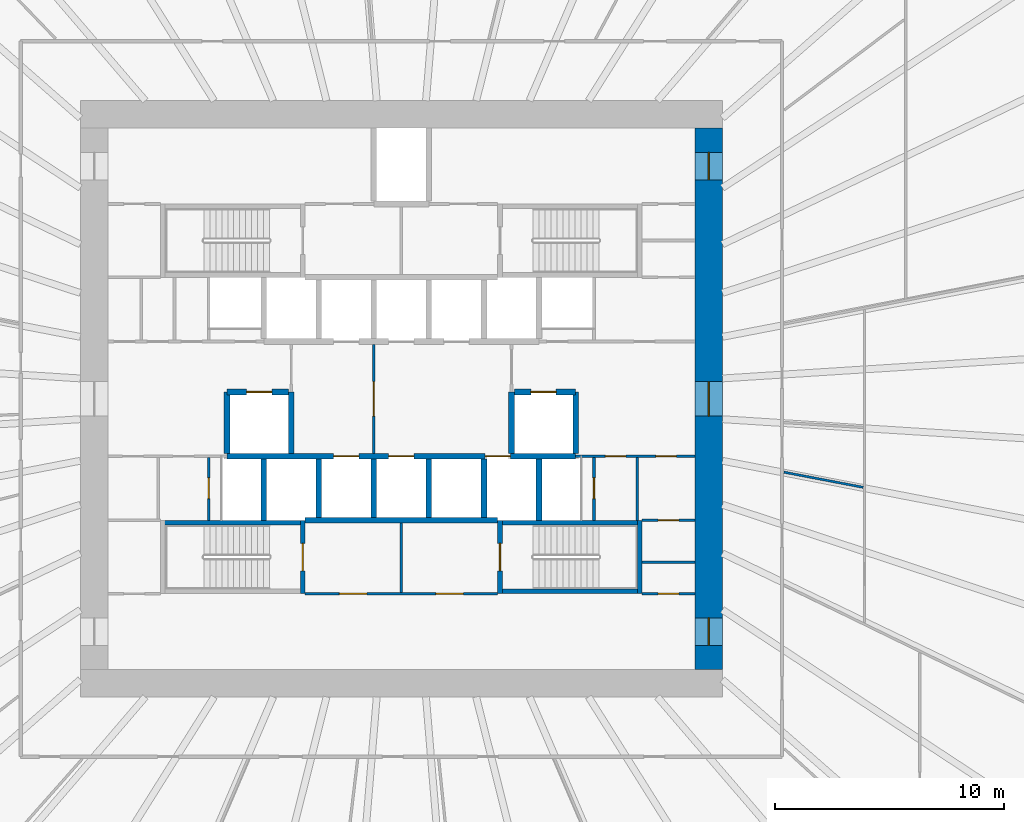
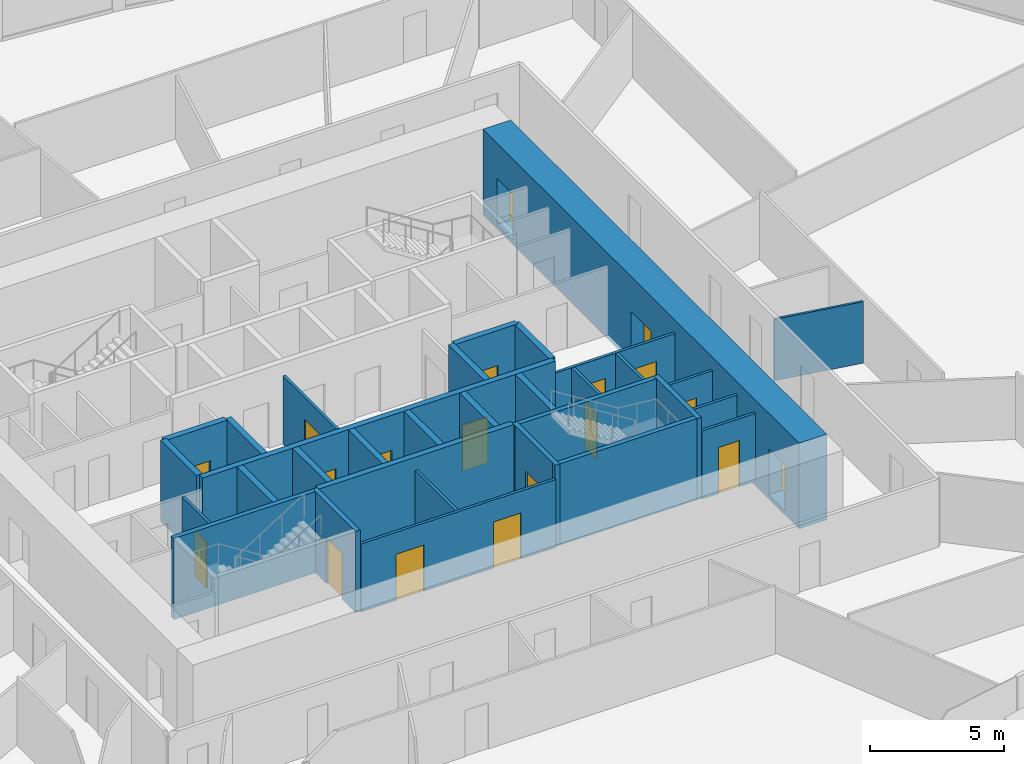
# One storey, part 7 of 11: 32 walls, 19 doors, 19 openings.
"""IFC4 building model written with IfcOpenShell, lengths in metres."""

from ifc_helpers import new_model, si_unit, direction, frame, frame_2d, origin, place, context, subcontext, project, spatial, rectangle, extrude, source, transform, mapped, material, layer, layer_set, type_object, element, fill, save


model = new_model("IFC4")

# Units and contexts
model_context = context("Model", 3, precision=1e-05, world=origin(), true_north=direction((0.0, 1.0)))
body_context = subcontext(model_context, "Body", "Model", "MODEL_VIEW")
ifc_project = project(units=[si_unit("LENGTHUNIT", "METRE"), si_unit("AREAUNIT", "SQUARE_METRE"), si_unit("VOLUMEUNIT", "CUBIC_METRE"), si_unit("PLANEANGLEUNIT", "RADIAN"), si_unit("MASSUNIT", "GRAM", prefix="KILO")], contexts=[model_context])

# Site, building, storey
site_placement = place(None, origin())
site = spatial("IfcSite", under=ifc_project, at=site_placement, CompositionType="ELEMENT")
building_placement = place(site_placement, origin())
building = spatial("IfcBuilding", under=site, at=building_placement, Name="Embergate Tower", CompositionType="ELEMENT")
storey_placement = place(building_placement, frame((0.0, 0.0, 69.800048828125)))
storey = spatial("IfcBuildingStorey", under=building, at=storey_placement, Name="L13", CompositionType="ELEMENT", Elevation=69.800048828125)

# Wall, openings, doors
ifc_material_1 = material(Name="Concrete C80", Category="concrete")
ifc_layer_1 = layer(ifc_material_1, 1.199951171875)
ifc_layer_set_1 = layer_set([ifc_layer_1], Name="Concrete C80")
wall_type_1 = type_object("IfcWallType", Name="Core outer wall C80 1200", PredefinedType="SHEAR", material=ifc_layer_set_1)
shared_shape_1 = source(origin(), body_context, "Body", "SweptSolid", [
    extrude(rectangle(XDim=23.60009765625, YDim=1.199951171875, at=frame_2d((11.800048828125, 0.0))), origin(), (0.0, 0.0, 1.0), 3.89990234375),
])
wall_1_placement = place(storey_placement, frame((13.39990234375, -11.800048828125, -0.199951171875), z_axis=(0.0, 0.0, 1.0), x_axis=(0.0, 1.0, 0.0)))
wall_1 = element("IfcWall", 1, at=wall_1_placement, inside=storey, type_object=wall_type_1, Name="CW-L13-E", PredefinedType="SHEAR", context=body_context, shape_type="MappedRepresentation", body=[
    mapped(shared_shape_1, transform((0.0, 0.0, 0.0))),
])
shared_shape_2 = source(origin(), body_context, "Body", "SweptSolid", [
    extrude(rectangle(XDim=1.199951171875, YDim=2.10009765625, at=frame_2d((0.60009765625, 1.050048828125))), frame((0.0, 0.60986328125, 0.0), z_axis=(0.0, -1.0, 0.0), x_axis=(1.0, 0.0, 0.0)), (0.0, 0.0, 1.0), 1.219970703125),
])
opening_1_placement = place(wall_1_placement, frame((21.35009765625, 0.0, 0.199951171875)))
opening_1 = element("IfcOpeningElement", 2, at=opening_1_placement, cuts=wall_1, Name="Opening IF-1", PredefinedType="OPENING", context=body_context, shape_type="MappedRepresentation", body=[
    mapped(shared_shape_2, transform((0.0, 0.0, 0.0))),
])
opening_2_placement = place(wall_1_placement, frame((1.050048828125, 0.0, 0.199951171875)))
opening_2 = element("IfcOpeningElement", 3, at=opening_2_placement, cuts=wall_1, Name="Opening IF-1", PredefinedType="OPENING", context=body_context, shape_type="MappedRepresentation", body=[
    mapped(shared_shape_2, transform((0.0, 0.0, 0.0))),
])
shared_shape_3 = source(origin(), body_context, "Body", "SweptSolid", [
    extrude(rectangle(XDim=1.5, YDim=2.10009765625, at=frame_2d((0.75, 1.050048828125))), frame((0.0, 0.60986328125, 0.0), z_axis=(0.0, -1.0, 0.0), x_axis=(1.0, 0.0, 0.0)), (0.0, 0.0, 1.0), 1.219970703125),
])
opening_3_placement = place(wall_1_placement, frame((11.050048828125, 0.0, 0.199951171875)))
opening_3 = element("IfcOpeningElement", 4, at=opening_3_placement, cuts=wall_1, Name="Opening IF-3", PredefinedType="OPENING", context=body_context, shape_type="MappedRepresentation", body=[
    mapped(shared_shape_3, transform((0.0, 0.0, 0.0))),
])
ifc_material_2 = material(Name="Escape fire door 1200")
door_type_1 = type_object("IfcDoorType", Name="Escape fire door 1200", OperationType="SINGLE_SWING_LEFT", PredefinedType="DOOR", material=ifc_material_2)
shared_shape_4 = source(origin(), body_context, "Body", "SweptSolid", [
    extrude(rectangle(XDim=1.199951171875, YDim=2.10009765625, at=frame_2d((0.60009765625, 1.050048828125))), frame((0.0, 0.02490234375, 0.0), z_axis=(0.0, -1.0, 0.0), x_axis=(1.0, 0.0, 0.0)), (0.0, 0.0, 1.0), 0.050048828125),
])
door_1_placement = place(opening_1_placement, origin())
door_1 = element("IfcDoor", 5, at=door_1_placement, inside=storey, type_object=door_type_1, Name="IF-1 door", OperationType="SINGLE_SWING_LEFT", OverallHeight=2.10009765625, OverallWidth=1.199951171875, PredefinedType="DOOR", context=body_context, shape_type="MappedRepresentation", body=[
    mapped(shared_shape_4, transform((0.0, 0.0, 0.0))),
])
fill(opening_1, door_1)
door_2_placement = place(opening_2_placement, origin())
door_2 = element("IfcDoor", 6, at=door_2_placement, inside=storey, type_object=door_type_1, Name="IF-1 door", OperationType="SINGLE_SWING_RIGHT", OverallHeight=2.10009765625, OverallWidth=1.199951171875, PredefinedType="DOOR", context=body_context, shape_type="MappedRepresentation", body=[
    mapped(shared_shape_4, transform((0.0, 0.0, 0.0))),
])
fill(opening_2, door_2)
ifc_material_3 = material(Name="Lobby fire door pair 1500")
door_type_2 = type_object("IfcDoorType", Name="Lobby fire door pair 1500", OperationType="DOUBLE_DOOR_SINGLE_SWING", PredefinedType="DOOR", material=ifc_material_3)
shared_shape_5 = source(origin(), body_context, "Body", "SweptSolid", [
    extrude(rectangle(XDim=1.5, YDim=2.10009765625, at=frame_2d((0.75, 1.050048828125))), frame((0.0, 0.02490234375, 0.0), z_axis=(0.0, -1.0, 0.0), x_axis=(1.0, 0.0, 0.0)), (0.0, 0.0, 1.0), 0.050048828125),
])
door_3_placement = place(opening_3_placement, origin())
door_3 = element("IfcDoor", 7, at=door_3_placement, inside=storey, type_object=door_type_2, Name="IF-3 door", OperationType="DOUBLE_DOOR_SINGLE_SWING", OverallHeight=2.10009765625, OverallWidth=1.5, PredefinedType="DOOR", context=body_context, shape_type="MappedRepresentation", body=[
    mapped(shared_shape_5, transform((0.0, 0.0, 0.0))),
])
fill(opening_3, door_3)

# Walls
ifc_material_4 = material(Name="Concrete C50", Category="concrete")
ifc_layer_2 = layer(ifc_material_4, 0.25)
ifc_layer_set_2 = layer_set([ifc_layer_2], Name="Concrete C50")
wall_type_2 = type_object("IfcWallType", Name="Hoistway wall reinforced concrete 250", PredefinedType="SHEAR", material=ifc_layer_set_2)
shared_shape_6 = source(origin(), body_context, "Body", "SweptSolid", [
    extrude(rectangle(XDim=2.675048828125, YDim=0.25, at=frame_2d((1.33740234375, 0.0))), origin(), (0.0, 0.0, 1.0), 3.699951171875),
])
for number, where, z_axis, x_axis, name in (
    (8, (-6.0, -5.300048828125, 0.0), (0.0, 0.0, 1.0), (0.0, 1.0, 0.0), "HW-1 wall"),
    (9, (6.0, -5.300048828125, 0.0), (0.0, 0.0, 1.0), (0.0, 1.0, 0.0), "HW-1 wall"),
    (10, (-4.800048828125, 0.300048828125, 0.0), (0.0, 0.0, 1.0), (0.0, -1.0, 0.0), "HW-1 wall"),
    (11, (4.800048828125, -2.375, 0.0), (0.0, 0.0, 1.0), (0.0, 1.0, 0.0), "HW-1 wall"),
):
    element("IfcWall", number, at=place(storey_placement, frame(where, z_axis=z_axis, x_axis=x_axis)), inside=storey, type_object=wall_type_2, Name=name, PredefinedType="SHEAR", context=body_context, shape_type="MappedRepresentation", body=[
        mapped(shared_shape_6, transform((0.0, 0.0, 0.0))),
    ])

# Wall, opening, door
wall_2_placement = place(storey_placement, frame((-4.925048828125, 0.300048828125, 0.0), z_axis=(0.0, 0.0, 1.0), x_axis=(-1.0, 0.0, 0.0)))
wall_2 = element("IfcWall", 12, at=wall_2_placement, inside=storey, type_object=wall_type_2, Name="HW-1 wall", PredefinedType="SHEAR", context=body_context, shape_type="MappedRepresentation", body=[
    mapped(shared_shape_6, transform((0.0, 0.0, 0.0))),
])
shared_shape_7 = source(origin(), body_context, "Body", "SweptSolid", [
    extrude(rectangle(XDim=1.10009765625, YDim=2.10009765625, at=frame_2d((0.550048828125, 1.050048828125))), frame((0.0, 0.135009765625, 0.0), z_axis=(0.0, -1.0, 0.0), x_axis=(1.0, 0.0, 0.0)), (0.0, 0.0, 1.0), 0.27001953125),
])
opening_4_placement = place(wall_2_placement, frame((0.72509765625, 0.0, 0.0)))
opening_4 = element("IfcOpeningElement", 13, at=opening_4_placement, cuts=wall_2, Name="Opening LD", PredefinedType="OPENING", context=body_context, shape_type="MappedRepresentation", body=[
    mapped(shared_shape_7, transform((0.0, 0.0, 0.0))),
])
ifc_material_5 = material(Name="Landing door sliding 1100")
door_type_3 = type_object("IfcDoorType", Name="Landing door sliding 1100", OperationType="SLIDING_TO_LEFT", PredefinedType="DOOR", material=ifc_material_5)
shared_shape_8 = source(origin(), body_context, "Body", "SweptSolid", [
    extrude(rectangle(XDim=1.10009765625, YDim=2.10009765625, at=frame_2d((0.550048828125, 1.050048828125))), frame((0.0, 0.02490234375, 0.0), z_axis=(0.0, -1.0, 0.0), x_axis=(1.0, 0.0, 0.0)), (0.0, 0.0, 1.0), 0.050048828125),
])
door_4_placement = place(opening_4_placement, origin())
door_4 = element("IfcDoor", 14, at=door_4_placement, inside=storey, type_object=door_type_3, Name="LD door", OperationType="SLIDING_TO_LEFT", OverallHeight=2.10009765625, OverallWidth=1.10009765625, PredefinedType="DOOR", context=body_context, shape_type="MappedRepresentation", body=[
    mapped(shared_shape_8, transform((0.0, 0.0, 0.0))),
])
fill(opening_4, door_4)

# Wall
wall_3_placement = place(storey_placement, frame((-7.60009765625, 0.300048828125, 0.0), z_axis=(0.0, 0.0, 1.0), x_axis=(0.0, -1.0, 0.0)))
element("IfcWall", 15, at=wall_3_placement, inside=storey, type_object=wall_type_2, Name="HW-1 wall", PredefinedType="SHEAR", context=body_context, shape_type="MappedRepresentation", body=[
    mapped(shared_shape_6, transform((0.0, 0.0, 0.0))),
])

# Wall, opening, door
wall_4_placement = place(storey_placement, frame((7.60009765625, 0.300048828125, 0.0), z_axis=(0.0, 0.0, 1.0), x_axis=(-1.0, 0.0, 0.0)))
wall_4 = element("IfcWall", 16, at=wall_4_placement, inside=storey, type_object=wall_type_2, Name="HW-1 wall", PredefinedType="SHEAR", context=body_context, shape_type="MappedRepresentation", body=[
    mapped(shared_shape_6, transform((0.0, 0.0, 0.0))),
])
opening_5_placement = place(wall_4_placement, frame((0.85009765625, 0.0, 0.0)))
opening_5 = element("IfcOpeningElement", 17, at=opening_5_placement, cuts=wall_4, Name="Opening LD", PredefinedType="OPENING", context=body_context, shape_type="MappedRepresentation", body=[
    mapped(shared_shape_7, transform((0.0, 0.0, 0.0))),
])
door_5_placement = place(opening_5_placement, origin())
door_5 = element("IfcDoor", 18, at=door_5_placement, inside=storey, type_object=door_type_3, Name="LD door", OperationType="SLIDING_TO_LEFT", OverallHeight=2.10009765625, OverallWidth=1.10009765625, PredefinedType="DOOR", context=body_context, shape_type="MappedRepresentation", body=[
    mapped(shared_shape_8, transform((0.0, 0.0, 0.0))),
])
fill(opening_5, door_5)

# Walls
wall_5_placement = place(storey_placement, frame((7.60009765625, -2.375, 0.0), z_axis=(0.0, 0.0, 1.0), x_axis=(0.0, 1.0, 0.0)))
element("IfcWall", 19, at=wall_5_placement, inside=storey, type_object=wall_type_2, Name="HW-1 wall", PredefinedType="SHEAR", context=body_context, shape_type="MappedRepresentation", body=[
    mapped(shared_shape_6, transform((0.0, 0.0, 0.0))),
])
ifc_layer_3 = layer(ifc_material_4, 0.199951171875)
ifc_layer_set_3 = layer_set([ifc_layer_3], Name="Concrete C50")
wall_type_3 = type_object("IfcWallType", Name="Stair enclosure wall reinforced concrete 250", PredefinedType="SHEAR", material=ifc_layer_set_3)
shared_shape_9 = source(origin(), body_context, "Body", "SweptSolid", [
    extrude(rectangle(XDim=6.300048828125, YDim=0.199951171875, at=frame_2d((3.14990234375, 0.0))), origin(), (0.0, 0.0, 1.0), 3.699951171875),
])
for number, where, z_axis, x_axis, name in (
    (20, (-10.5, -5.39990234375, 0.0), (0.0, 0.0, 1.0), (1.0, 0.0, 0.0), "SE-1 wall"),
    (21, (4.199951171875, -5.39990234375, 0.0), (0.0, 0.0, 1.0), (1.0, 0.0, 0.0), "SE-1 wall"),
    (22, (4.199951171875, -8.39990234375, 0.0), (0.0, 0.0, 1.0), (1.0, 0.0, 0.0), "SE-1 wall"),
):
    element("IfcWall", number, at=place(storey_placement, frame(where, z_axis=z_axis, x_axis=x_axis)), inside=storey, type_object=wall_type_3, Name=name, PredefinedType="SHEAR", context=body_context, shape_type="MappedRepresentation", body=[
        mapped(shared_shape_9, transform((0.0, 0.0, 0.0))),
    ])
shared_shape_10 = source(origin(), body_context, "Body", "SweptSolid", [
    extrude(rectangle(XDim=2.550048828125, YDim=0.25, at=frame_2d((1.27490234375, 0.0))), origin(), (0.0, 0.0, 1.0), 3.699951171875),
])
for number, where, z_axis, x_axis, name in (
    (23, (-3.60009765625, -5.175048828125, 0.0), (0.0, 0.0, 1.0), (0.0, 1.0, 0.0), "HW-1 wall"),
    (24, (-1.199951171875, -5.175048828125, 0.0), (0.0, 0.0, 1.0), (0.0, 1.0, 0.0), "HW-1 wall"),
    (25, (1.199951171875, -5.175048828125, 0.0), (0.0, 0.0, 1.0), (0.0, 1.0, 0.0), "HW-1 wall"),
    (26, (3.60009765625, -5.175048828125, 0.0), (0.0, 0.0, 1.0), (0.0, 1.0, 0.0), "HW-1 wall"),
):
    element("IfcWall", number, at=place(storey_placement, frame(where, z_axis=z_axis, x_axis=x_axis)), inside=storey, type_object=wall_type_2, Name=name, PredefinedType="SHEAR", context=body_context, shape_type="MappedRepresentation", body=[
        mapped(shared_shape_10, transform((0.0, 0.0, 0.0))),
    ])
shared_shape_11 = source(origin(), body_context, "Body", "SweptSolid", [
    extrude(rectangle(XDim=8.39990234375, YDim=0.25, at=frame_2d((4.199951171875, 0.0))), origin(), (0.0, 0.0, 1.0), 3.699951171875),
])
wall_6_placement = place(storey_placement, frame((-4.199951171875, -5.300048828125, 0.0), z_axis=(0.0, 0.0, 1.0), x_axis=(1.0, 0.0, 0.0)))
element("IfcWall", 27, at=wall_6_placement, inside=storey, type_object=wall_type_2, Name="HW-1 wall", PredefinedType="SHEAR", context=body_context, shape_type="MappedRepresentation", body=[
    mapped(shared_shape_11, transform((0.0, 0.0, 0.0))),
])

# Wall, openings, doors
shared_shape_12 = source(origin(), body_context, "Body", "SweptSolid", [
    extrude(rectangle(XDim=15.2001953125, YDim=0.25, at=frame_2d((7.60009765625, 0.0))), origin(), (0.0, 0.0, 1.0), 3.699951171875),
])
wall_7_placement = place(storey_placement, frame((7.60009765625, -2.5, 0.0), z_axis=(0.0, 0.0, 1.0), x_axis=(-1.0, 0.0, 0.0)))
wall_7 = element("IfcWall", 28, at=wall_7_placement, inside=storey, type_object=wall_type_2, Name="HW-1 wall", PredefinedType="SHEAR", context=body_context, shape_type="MappedRepresentation", body=[
    mapped(shared_shape_12, transform((0.0, 0.0, 0.0))),
])
opening_6_placement = place(wall_7_placement, frame((9.449951171875, 0.0, 0.0)))
opening_6 = element("IfcOpeningElement", 29, at=opening_6_placement, cuts=wall_7, Name="Opening LD", PredefinedType="OPENING", context=body_context, shape_type="MappedRepresentation", body=[
    mapped(shared_shape_7, transform((0.0, 0.0, 0.0))),
])
opening_7_placement = place(wall_7_placement, frame((7.050048828125, 0.0, 0.0)))
opening_7 = element("IfcOpeningElement", 30, at=opening_7_placement, cuts=wall_7, Name="Opening LD", PredefinedType="OPENING", context=body_context, shape_type="MappedRepresentation", body=[
    mapped(shared_shape_7, transform((0.0, 0.0, 0.0))),
])
opening_8_placement = place(wall_7_placement, frame((2.85009765625, 0.0, 0.0)))
opening_8 = element("IfcOpeningElement", 31, at=opening_8_placement, cuts=wall_7, Name="Opening LD", PredefinedType="OPENING", context=body_context, shape_type="MappedRepresentation", body=[
    mapped(shared_shape_7, transform((0.0, 0.0, 0.0))),
])
door_6_placement = place(opening_6_placement, origin())
door_6 = element("IfcDoor", 32, at=door_6_placement, inside=storey, type_object=door_type_3, Name="LD door", OperationType="SLIDING_TO_RIGHT", OverallHeight=2.10009765625, OverallWidth=1.10009765625, PredefinedType="DOOR", context=body_context, shape_type="MappedRepresentation", body=[
    mapped(shared_shape_8, transform((0.0, 0.0, 0.0))),
])
fill(opening_6, door_6)
door_7_placement = place(opening_7_placement, origin())
door_7 = element("IfcDoor", 33, at=door_7_placement, inside=storey, type_object=door_type_3, Name="LD door", OperationType="SLIDING_TO_RIGHT", OverallHeight=2.10009765625, OverallWidth=1.10009765625, PredefinedType="DOOR", context=body_context, shape_type="MappedRepresentation", body=[
    mapped(shared_shape_8, transform((0.0, 0.0, 0.0))),
])
fill(opening_7, door_7)
door_8_placement = place(opening_8_placement, origin())
door_8 = element("IfcDoor", 34, at=door_8_placement, inside=storey, type_object=door_type_3, Name="LD door", OperationType="SLIDING_TO_LEFT", OverallHeight=2.10009765625, OverallWidth=1.10009765625, PredefinedType="DOOR", context=body_context, shape_type="MappedRepresentation", body=[
    mapped(shared_shape_8, transform((0.0, 0.0, 0.0))),
])
fill(opening_8, door_8)

# Wall, opening, door
shared_shape_13 = source(origin(), body_context, "Body", "SweptSolid", [
    extrude(rectangle(XDim=3.199951171875, YDim=0.199951171875, at=frame_2d((1.60009765625, 0.0))), origin(), (0.0, 0.0, 1.0), 3.699951171875),
])
wall_8_placement = place(storey_placement, frame((-4.300048828125, -8.5, 0.0), z_axis=(0.0, 0.0, 1.0), x_axis=(0.0, 1.0, 0.0)))
wall_8 = element("IfcWall", 35, at=wall_8_placement, inside=storey, type_object=wall_type_3, Name="SE-1 wall", PredefinedType="SHEAR", context=body_context, shape_type="MappedRepresentation", body=[
    mapped(shared_shape_13, transform((0.0, 0.0, 0.0))),
])
shared_shape_14 = source(origin(), body_context, "Body", "SweptSolid", [
    extrude(rectangle(XDim=1.199951171875, YDim=2.10009765625, at=frame_2d((0.60009765625, 1.050048828125))), frame((0.0, 0.10986328125, 0.0), z_axis=(0.0, -1.0, 0.0), x_axis=(1.0, 0.0, 0.0)), (0.0, 0.0, 1.0), 0.219970703125),
])
opening_9_placement = place(wall_8_placement, frame((1.0, 0.0, 0.0)))
opening_9 = element("IfcOpeningElement", 36, at=opening_9_placement, cuts=wall_8, Name="Opening IF-2", PredefinedType="OPENING", context=body_context, shape_type="MappedRepresentation", body=[
    mapped(shared_shape_14, transform((0.0, 0.0, 0.0))),
])
ifc_material_6 = material(Name="Stair enclosure door 1200")
door_type_4 = type_object("IfcDoorType", Name="Stair enclosure door 1200", OperationType="SINGLE_SWING_LEFT", PredefinedType="DOOR", material=ifc_material_6)
door_9_placement = place(opening_9_placement, origin())
door_9 = element("IfcDoor", 37, at=door_9_placement, inside=storey, type_object=door_type_4, Name="IF-2 door", OperationType="SINGLE_SWING_RIGHT", OverallHeight=2.10009765625, OverallWidth=1.199951171875, PredefinedType="DOOR", context=body_context, shape_type="MappedRepresentation", body=[
    mapped(shared_shape_4, transform((0.0, 0.0, 0.0))),
])
fill(opening_9, door_9)

wall_9_placement = place(storey_placement, frame((4.300048828125, -5.300048828125, 0.0), z_axis=(0.0, 0.0, 1.0), x_axis=(0.0, -1.0, 0.0)))
wall_9 = element("IfcWall", 38, at=wall_9_placement, inside=storey, type_object=wall_type_3, Name="SE-1 wall", PredefinedType="SHEAR", context=body_context, shape_type="MappedRepresentation", body=[
    mapped(shared_shape_13, transform((0.0, 0.0, 0.0))),
])
opening_10_placement = place(wall_9_placement, frame((1.0, 0.0, 0.0)))
opening_10 = element("IfcOpeningElement", 39, at=opening_10_placement, cuts=wall_9, Name="Opening IF-2", PredefinedType="OPENING", context=body_context, shape_type="MappedRepresentation", body=[
    mapped(shared_shape_14, transform((0.0, 0.0, 0.0))),
])
door_10_placement = place(opening_10_placement, origin())
door_10 = element("IfcDoor", 40, at=door_10_placement, inside=storey, type_object=door_type_4, Name="IF-2 door", OperationType="SINGLE_SWING_LEFT", OverallHeight=2.10009765625, OverallWidth=1.199951171875, PredefinedType="DOOR", context=body_context, shape_type="MappedRepresentation", body=[
    mapped(shared_shape_4, transform((0.0, 0.0, 0.0))),
])
fill(opening_10, door_10)

# Wall
wall_10_placement = place(storey_placement, frame((10.39990234375, -8.5, 0.0), z_axis=(0.0, 0.0, 1.0), x_axis=(0.0, 1.0, 0.0)))
element("IfcWall", 41, at=wall_10_placement, inside=storey, type_object=wall_type_3, Name="SE-1 wall", PredefinedType="SHEAR", context=body_context, shape_type="MappedRepresentation", body=[
    mapped(shared_shape_13, transform((0.0, 0.0, 0.0))),
])

# Wall, opening, door
ifc_material_7 = material(Name="Core partition blockwork 120")
ifc_layer_4 = layer(ifc_material_7, 0.1201171875)
ifc_layer_set_4 = layer_set([ifc_layer_4], Name="Core partition blockwork 120")
wall_type_4 = type_object("IfcWallType", Name="Core partition blockwork 120", PredefinedType="PARTITIONING", material=ifc_layer_set_4)
shared_shape_15 = source(origin(), body_context, "Body", "SweptSolid", [
    extrude(rectangle(XDim=2.739990234375, YDim=0.1201171875, at=frame_2d((1.3701171875, 0.0))), origin(), (0.0, 0.0, 1.0), 3.099853515625),
])
wall_11_placement = place(storey_placement, frame((-8.39990234375, -2.56005859375, 0.0), z_axis=(0.0, 0.0, 1.0), x_axis=(0.0, -1.0, 0.0)))
wall_11 = element("IfcWall", 42, at=wall_11_placement, inside=storey, type_object=wall_type_4, Name="IP-3 wall", PredefinedType="PARTITIONING", context=body_context, shape_type="MappedRepresentation", body=[
    mapped(shared_shape_15, transform((0.0, 0.0, 0.0))),
])
shared_shape_16 = source(origin(), body_context, "Body", "SweptSolid", [
    extrude(rectangle(XDim=0.89990234375, YDim=2.10009765625, at=frame_2d((0.449951171875, 1.050048828125))), frame((0.0, 0.070068359375, 0.0), z_axis=(0.0, -1.0, 0.0), x_axis=(1.0, 0.0, 0.0)), (0.0, 0.0, 1.0), 0.14013671875),
])
opening_11_placement = place(wall_11_placement, frame((0.889892578125, 0.0, 0.0)))
opening_11 = element("IfcOpeningElement", 43, at=opening_11_placement, cuts=wall_11, Name="Opening ID-1", PredefinedType="OPENING", context=body_context, shape_type="MappedRepresentation", body=[
    mapped(shared_shape_16, transform((0.0, 0.0, 0.0))),
])
ifc_material_8 = material(Name="Interior door 900")
door_type_5 = type_object("IfcDoorType", Name="Interior door 900", OperationType="SINGLE_SWING_LEFT", PredefinedType="DOOR", material=ifc_material_8)
shared_shape_17 = source(origin(), body_context, "Body", "SweptSolid", [
    extrude(rectangle(XDim=0.89990234375, YDim=2.10009765625, at=frame_2d((0.449951171875, 1.050048828125))), frame((0.0, 0.02490234375, 0.0), z_axis=(0.0, -1.0, 0.0), x_axis=(1.0, 0.0, 0.0)), (0.0, 0.0, 1.0), 0.050048828125),
])
door_11_placement = place(opening_11_placement, origin())
door_11 = element("IfcDoor", 44, at=door_11_placement, inside=storey, type_object=door_type_5, Name="ID-1 door", OperationType="SINGLE_SWING_RIGHT", OverallHeight=2.10009765625, OverallWidth=0.89990234375, PredefinedType="DOOR", context=body_context, shape_type="MappedRepresentation", body=[
    mapped(shared_shape_17, transform((0.0, 0.0, 0.0))),
])
fill(opening_11, door_11)

wall_12_placement = place(storey_placement, frame((8.39990234375, -5.300048828125, 0.0), z_axis=(0.0, 0.0, 1.0), x_axis=(0.0, 1.0, 0.0)))
wall_12 = element("IfcWall", 45, at=wall_12_placement, inside=storey, type_object=wall_type_4, Name="IP-3 wall", PredefinedType="PARTITIONING", context=body_context, shape_type="MappedRepresentation", body=[
    mapped(shared_shape_15, transform((0.0, 0.0, 0.0))),
])
opening_12_placement = place(wall_12_placement, frame((0.949951171875, 0.0, 0.0)))
opening_12 = element("IfcOpeningElement", 46, at=opening_12_placement, cuts=wall_12, Name="Opening ID-1", PredefinedType="OPENING", context=body_context, shape_type="MappedRepresentation", body=[
    mapped(shared_shape_16, transform((0.0, 0.0, 0.0))),
])
door_12_placement = place(opening_12_placement, origin())
door_12 = element("IfcDoor", 47, at=door_12_placement, inside=storey, type_object=door_type_5, Name="ID-1 door", OperationType="SINGLE_SWING_RIGHT", OverallHeight=2.10009765625, OverallWidth=0.89990234375, PredefinedType="DOOR", context=body_context, shape_type="MappedRepresentation", body=[
    mapped(shared_shape_17, transform((0.0, 0.0, 0.0))),
])
fill(opening_12, door_12)

# Wall
wall_13_placement = place(storey_placement, frame((10.2919921875, -5.300048828125, 0.0), z_axis=(0.0, 0.0, 1.0), x_axis=(0.0, 1.0, 0.0)))
element("IfcWall", 48, at=wall_13_placement, inside=storey, type_object=wall_type_4, Name="IP-3 wall", PredefinedType="PARTITIONING", context=body_context, shape_type="MappedRepresentation", body=[
    mapped(shared_shape_15, transform((0.0, 0.0, 0.0))),
])

# Wall, openings, doors
shared_shape_18 = source(origin(), body_context, "Body", "SweptSolid", [
    extrude(rectangle(XDim=5.199951171875, YDim=0.1201171875, at=frame_2d((2.60009765625, 0.0))), origin(), (0.0, 0.0, 1.0), 3.099853515625),
])
wall_14_placement = place(storey_placement, frame((12.800048828125, -2.5, 0.0), z_axis=(0.0, 0.0, 1.0), x_axis=(-1.0, 0.0, 0.0)))
wall_14 = element("IfcWall", 49, at=wall_14_placement, inside=storey, type_object=wall_type_4, Name="IP-3 wall", PredefinedType="PARTITIONING", context=body_context, shape_type="MappedRepresentation", body=[
    mapped(shared_shape_18, transform((0.0, 0.0, 0.0))),
])
opening_13_placement = place(wall_14_placement, frame((3.00390625, 0.0, 0.0)))
opening_13 = element("IfcOpeningElement", 50, at=opening_13_placement, cuts=wall_14, Name="Opening ID-1", PredefinedType="OPENING", context=body_context, shape_type="MappedRepresentation", body=[
    mapped(shared_shape_16, transform((0.0, 0.0, 0.0))),
])
opening_14_placement = place(wall_14_placement, frame((0.803955078125, 0.0, 0.0)))
opening_14 = element("IfcOpeningElement", 51, at=opening_14_placement, cuts=wall_14, Name="Opening ID-1", PredefinedType="OPENING", context=body_context, shape_type="MappedRepresentation", body=[
    mapped(shared_shape_16, transform((0.0, 0.0, 0.0))),
])
door_13_placement = place(opening_13_placement, origin())
door_13 = element("IfcDoor", 52, at=door_13_placement, inside=storey, type_object=door_type_5, Name="ID-1 door", OperationType="SINGLE_SWING_RIGHT", OverallHeight=2.10009765625, OverallWidth=0.89990234375, PredefinedType="DOOR", context=body_context, shape_type="MappedRepresentation", body=[
    mapped(shared_shape_17, transform((0.0, 0.0, 0.0))),
])
fill(opening_13, door_13)
door_14_placement = place(opening_14_placement, origin())
door_14 = element("IfcDoor", 53, at=door_14_placement, inside=storey, type_object=door_type_5, Name="ID-1 door", OperationType="SINGLE_SWING_RIGHT", OverallHeight=2.10009765625, OverallWidth=0.89990234375, PredefinedType="DOOR", context=body_context, shape_type="MappedRepresentation", body=[
    mapped(shared_shape_17, transform((0.0, 0.0, 0.0))),
])
fill(opening_14, door_14)

# Wall, opening, door
shared_shape_19 = source(origin(), body_context, "Body", "SweptSolid", [
    extrude(rectangle(XDim=4.75, YDim=0.1201171875, at=frame_2d((2.375, 0.0))), origin(), (0.0, 0.0, 1.0), 3.099853515625),
])
wall_15_placement = place(storey_placement, frame((-1.199951171875, -2.375, 0.0), z_axis=(0.0, 0.0, 1.0), x_axis=(0.0, 1.0, 0.0)))
wall_15 = element("IfcWall", 54, at=wall_15_placement, inside=storey, type_object=wall_type_4, Name="IP-3 wall", PredefinedType="PARTITIONING", context=body_context, shape_type="MappedRepresentation", body=[
    mapped(shared_shape_19, transform((0.0, 0.0, 0.0))),
])
shared_shape_20 = source(origin(), body_context, "Body", "SweptSolid", [
    extrude(rectangle(XDim=1.5, YDim=2.10009765625, at=frame_2d((0.75, 1.050048828125))), frame((0.0, 0.070068359375, 0.0), z_axis=(0.0, -1.0, 0.0), x_axis=(1.0, 0.0, 0.0)), (0.0, 0.0, 1.0), 0.14013671875),
])
opening_15_placement = place(wall_15_placement, frame((1.625, 0.0, 0.0)))
opening_15 = element("IfcOpeningElement", 55, at=opening_15_placement, cuts=wall_15, Name="Opening IF-3", PredefinedType="OPENING", context=body_context, shape_type="MappedRepresentation", body=[
    mapped(shared_shape_20, transform((0.0, 0.0, 0.0))),
])
door_15_placement = place(opening_15_placement, origin())
door_15 = element("IfcDoor", 56, at=door_15_placement, inside=storey, type_object=door_type_2, Name="IF-3 door", OperationType="DOUBLE_DOOR_SINGLE_SWING", OverallHeight=2.10009765625, OverallWidth=1.5, PredefinedType="DOOR", context=body_context, shape_type="MappedRepresentation", body=[
    mapped(shared_shape_5, transform((0.0, 0.0, 0.0))),
])
fill(opening_15, door_15)

# Wall
shared_shape_21 = source(origin(), body_context, "Body", "SweptSolid", [
    extrude(rectangle(XDim=3.014892578125, YDim=0.1201171875, at=frame_2d((1.50732421875, 0.0))), origin(), (0.0, 0.0, 1.0), 3.099853515625),
])
wall_16_placement = place(storey_placement, frame((0.0, -8.43994140625, 0.0), z_axis=(0.0, 0.0, 1.0), x_axis=(0.0, 1.0, 0.0)))
element("IfcWall", 57, at=wall_16_placement, inside=storey, type_object=wall_type_4, Name="IP-3 wall", PredefinedType="PARTITIONING", context=body_context, shape_type="MappedRepresentation", body=[
    mapped(shared_shape_21, transform((0.0, 0.0, 0.0))),
])

# Wall, openings, doors
shared_shape_22 = source(origin(), body_context, "Body", "SweptSolid", [
    extrude(rectangle(XDim=8.39990234375, YDim=0.1201171875, at=frame_2d((4.199951171875, 0.0))), origin(), (0.0, 0.0, 1.0), 3.099853515625),
])
wall_17_placement = place(storey_placement, frame((-4.199951171875, -8.5, 0.0), z_axis=(0.0, 0.0, 1.0), x_axis=(1.0, 0.0, 0.0)))
wall_17 = element("IfcWall", 58, at=wall_17_placement, inside=storey, type_object=wall_type_4, Name="IP-3 wall", PredefinedType="PARTITIONING", context=body_context, shape_type="MappedRepresentation", body=[
    mapped(shared_shape_22, transform((0.0, 0.0, 0.0))),
])
shared_shape_23 = source(origin(), body_context, "Body", "SweptSolid", [
    extrude(rectangle(XDim=1.199951171875, YDim=2.10009765625, at=frame_2d((0.60009765625, 1.050048828125))), frame((0.0, 0.070068359375, 0.0), z_axis=(0.0, -1.0, 0.0), x_axis=(1.0, 0.0, 0.0)), (0.0, 0.0, 1.0), 0.14013671875),
])
opening_16_placement = place(wall_17_placement, frame((1.5, 0.0, 0.0)))
opening_16 = element("IfcOpeningElement", 59, at=opening_16_placement, cuts=wall_17, Name="Opening IF-3f", PredefinedType="OPENING", context=body_context, shape_type="MappedRepresentation", body=[
    mapped(shared_shape_23, transform((0.0, 0.0, 0.0))),
])
opening_17_placement = place(wall_17_placement, frame((5.699951171875, 0.0, 0.0)))
opening_17 = element("IfcOpeningElement", 60, at=opening_17_placement, cuts=wall_17, Name="Opening IF-3f", PredefinedType="OPENING", context=body_context, shape_type="MappedRepresentation", body=[
    mapped(shared_shape_23, transform((0.0, 0.0, 0.0))),
])
ifc_material_9 = material(Name="Lobby fire door pair 1200")
door_type_6 = type_object("IfcDoorType", Name="Lobby fire door pair 1200", OperationType="DOUBLE_DOOR_SINGLE_SWING", PredefinedType="DOOR", material=ifc_material_9)
door_16_placement = place(opening_16_placement, origin())
door_16 = element("IfcDoor", 61, at=door_16_placement, inside=storey, type_object=door_type_6, Name="IF-3 door", OperationType="DOUBLE_DOOR_SINGLE_SWING", OverallHeight=2.10009765625, OverallWidth=1.199951171875, PredefinedType="DOOR", context=body_context, shape_type="MappedRepresentation", body=[
    mapped(shared_shape_4, transform((0.0, 0.0, 0.0))),
])
fill(opening_16, door_16)
door_17_placement = place(opening_17_placement, origin())
door_17 = element("IfcDoor", 62, at=door_17_placement, inside=storey, type_object=door_type_6, Name="IF-3 door", OperationType="DOUBLE_DOOR_SINGLE_SWING", OverallHeight=2.10009765625, OverallWidth=1.199951171875, PredefinedType="DOOR", context=body_context, shape_type="MappedRepresentation", body=[
    mapped(shared_shape_4, transform((0.0, 0.0, 0.0))),
])
fill(opening_17, door_17)

# Wall, opening, door
shared_shape_24 = source(origin(), body_context, "Body", "SweptSolid", [
    extrude(rectangle(XDim=2.300048828125, YDim=0.1201171875, at=frame_2d((1.14990234375, 0.0))), origin(), (0.0, 0.0, 1.0), 3.099853515625),
])
wall_18_placement = place(storey_placement, frame((12.800048828125, -8.5, 0.0), z_axis=(0.0, 0.0, 1.0), x_axis=(-1.0, 0.0, 0.0)))
wall_18 = element("IfcWall", 63, at=wall_18_placement, inside=storey, type_object=wall_type_4, Name="IP-3 wall", PredefinedType="PARTITIONING", context=body_context, shape_type="MappedRepresentation", body=[
    mapped(shared_shape_24, transform((0.0, 0.0, 0.0))),
])
opening_18_placement = place(wall_18_placement, frame((0.699951171875, 0.0, 0.0)))
opening_18 = element("IfcOpeningElement", 64, at=opening_18_placement, cuts=wall_18, Name="Opening ID-1", PredefinedType="OPENING", context=body_context, shape_type="MappedRepresentation", body=[
    mapped(shared_shape_16, transform((0.0, 0.0, 0.0))),
])
door_18_placement = place(opening_18_placement, origin())
door_18 = element("IfcDoor", 65, at=door_18_placement, inside=storey, type_object=door_type_5, Name="ID-1 door", OperationType="SINGLE_SWING_LEFT", OverallHeight=2.10009765625, OverallWidth=0.89990234375, PredefinedType="DOOR", context=body_context, shape_type="MappedRepresentation", body=[
    mapped(shared_shape_17, transform((0.0, 0.0, 0.0))),
])
fill(opening_18, door_18)

wall_19_placement = place(storey_placement, frame((10.5, -5.300048828125, 0.0), z_axis=(0.0, 0.0, 1.0), x_axis=(1.0, 0.0, 0.0)))
wall_19 = element("IfcWall", 66, at=wall_19_placement, inside=storey, type_object=wall_type_4, Name="IP-3 wall", PredefinedType="PARTITIONING", context=body_context, shape_type="MappedRepresentation", body=[
    mapped(shared_shape_24, transform((0.0, 0.0, 0.0))),
])
opening_19_placement = place(wall_19_placement, frame((0.699951171875, 0.0, 0.0)))
opening_19 = element("IfcOpeningElement", 67, at=opening_19_placement, cuts=wall_19, Name="Opening ID-1", PredefinedType="OPENING", context=body_context, shape_type="MappedRepresentation", body=[
    mapped(shared_shape_16, transform((0.0, 0.0, 0.0))),
])
door_19_placement = place(opening_19_placement, origin())
door_19 = element("IfcDoor", 68, at=door_19_placement, inside=storey, type_object=door_type_5, Name="ID-1 door", OperationType="SINGLE_SWING_RIGHT", OverallHeight=2.10009765625, OverallWidth=0.89990234375, PredefinedType="DOOR", context=body_context, shape_type="MappedRepresentation", body=[
    mapped(shared_shape_17, transform((0.0, 0.0, 0.0))),
])
fill(opening_19, door_19)

# Walls
wall_20_placement = place(storey_placement, frame((12.800048828125, -7.1240234375, 0.0), z_axis=(0.0, 0.0, 1.0), x_axis=(-1.0, 0.0, 0.0)))
element("IfcWall", 69, at=wall_20_placement, inside=storey, type_object=wall_type_4, Name="IP-3 wall", PredefinedType="PARTITIONING", context=body_context, shape_type="MappedRepresentation", body=[
    mapped(shared_shape_24, transform((0.0, 0.0, 0.0))),
])
ifc_material_10 = material(Name="Partition dry-lined 100")
ifc_layer_5 = layer(ifc_material_10, 0.10009765625)
ifc_layer_set_5 = layer_set([ifc_layer_5], Name="Partition dry-lined 100")
wall_type_5 = type_object("IfcWallType", Name="Partition dry-lined 100", PredefinedType="PARTITIONING", material=ifc_layer_set_5)
shared_shape_25 = source(origin(), body_context, "Body", "SweptSolid", [
    extrude(rectangle(XDim=3.519775390625, YDim=0.10009765625, at=frame_2d((1.759765625, 0.0))), origin(), (0.0, 0.0, 1.0), 2.800048828125),
])
wall_21_placement = place(storey_placement, frame((16.68408203125, -3.197998046875, 0.0), z_axis=(0.0, 0.0, 1.0), x_axis=(0.982148648971, -0.188106436159, 0.0)))
element("IfcWall", 70, at=wall_21_placement, inside=storey, type_object=wall_type_5, Name="IP-1 wall", PredefinedType="PARTITIONING", context=body_context, shape_type="MappedRepresentation", body=[
    mapped(shared_shape_25, transform((0.0, 0.0, 0.0))),
])

save(model, "model.ifc")
